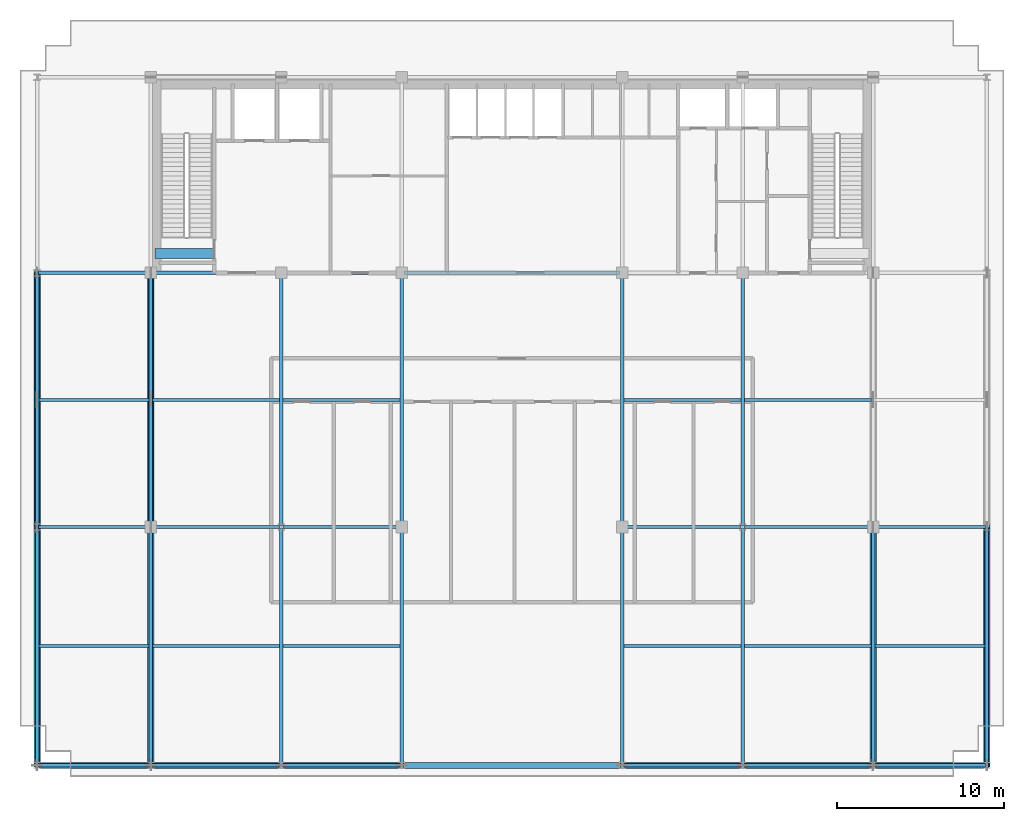
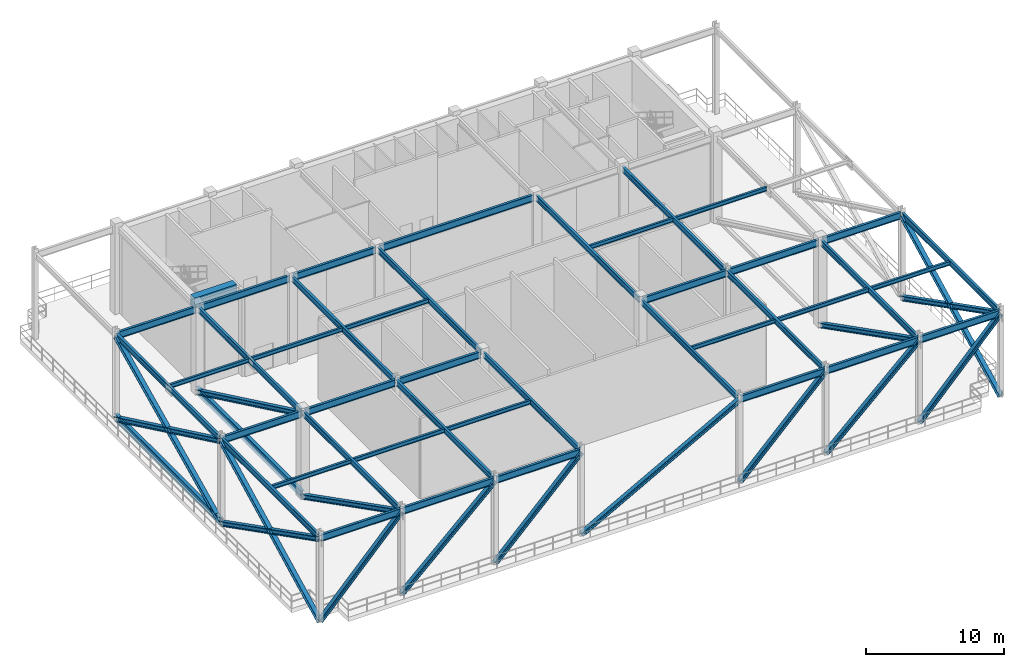
# One storey, part 4 of 14: 42 beams, 18 members.
"""IFC4 building model written with IfcOpenShell, lengths in metres."""

from ifc_helpers import new_model, si_unit, direction, frame, origin, origin_2d, place, context, subcontext, project, spatial, rectangle, i_section, extrude, source, transform, mapped, material, material_profile, profile_set, type_object, element, save


model = new_model("IFC4")

# Units and contexts
model_context = context("Model", 3, precision=1e-05, world=origin(), true_north=direction((0.0, 1.0)))
body_context = subcontext(model_context, "Body", "Model", "MODEL_VIEW")
ifc_project = project(units=[si_unit("LENGTHUNIT", "METRE"), si_unit("AREAUNIT", "SQUARE_METRE"), si_unit("VOLUMEUNIT", "CUBIC_METRE"), si_unit("PLANEANGLEUNIT", "RADIAN"), si_unit("MASSUNIT", "GRAM", prefix="KILO")], contexts=[model_context])

# Site, building, storey
site_placement = place(None, origin())
site = spatial("IfcSite", under=ifc_project, at=site_placement, CompositionType="ELEMENT")
building_placement = place(site_placement, origin())
building = spatial("IfcBuilding", under=site, at=building_placement, Name="Trelvane Seafront Commons", CompositionType="ELEMENT")
storey_placement = place(building_placement, frame((0.0, 0.0, 182.5)))
storey = spatial("IfcBuildingStorey", under=building, at=storey_placement, Name="L48", CompositionType="ELEMENT", Elevation=182.5)

# Beams
ifc_material_1 = material(Name="Concrete C60/75", Category="concrete")
ifc_material_profile_1 = material_profile(ifc_material_1, rectangle(XDim=0.60009765625, YDim=0.89990234375, at=origin_2d()), Name="RC-600x900")
ifc_profile_set_1 = profile_set([ifc_material_profile_1], Name="Concrete C60/75")
beam_type_1 = type_object("IfcBeamType", Name="STR-LNT-RC600x900", PredefinedType="LINTEL", material=ifc_profile_set_1)
shared_shape_1 = source(origin(), body_context, "Body", "SweptSolid", [
    extrude(rectangle(XDim=0.60009765625, YDim=0.89990234375, at=origin_2d()), origin(), (0.0, 0.0, 1.0), 3.5498046875),
])
beam_1_placement = place(storey_placement, frame((15.85009765625, 34.550048828125, 7.169921875), z_axis=(1.0, 0.0, 0.0), x_axis=(0.0, 1.0, 0.0)))
element("IfcBeam", 1, at=beam_1_placement, inside=storey, type_object=beam_type_1, Name="L48 Core Coupling Lintel Beam CB-67", PredefinedType="LINTEL", context=body_context, shape_type="MappedRepresentation", body=[
    mapped(shared_shape_1, transform((0.0, 0.0, 0.0), x_axis=(1.0, 0.0, 0.0), y_axis=(0.0, 1.0, 0.0), z_axis=(0.0, 0.0, 1.0), scale=1.0)),
])
ifc_material_2 = material(Name="Steel SM355 (S355)", Category="steel")
ifc_material_profile_2 = material_profile(ifc_material_2, i_section(OverallWidth=0.199951171875, OverallDepth=0.5, WebThickness=0.010009765625, FlangeThickness=0.01611328125, at=origin_2d()), Name="H-500x200x10x16")
ifc_profile_set_2 = profile_set([ifc_material_profile_2], Name="Steel SM355 (S355)")
beam_type_2 = type_object("IfcBeamType", Name="STR-BM-H500", PredefinedType="BEAM", material=ifc_profile_set_2)
shared_shape_2 = source(origin(), body_context, "Body", "SweptSolid", [
    extrude(i_section(OverallWidth=0.199951171875, OverallDepth=0.5, WebThickness=0.010009765625, FlangeThickness=0.01611328125, at=origin_2d()), origin(), (0.0, 0.0, 1.0), 14.89990234375),
])
for number, where, z_axis, x_axis, name in (
    (2, (15.60009765625, 18.35009765625, 7.3701171875), (0.0, 1.0, 0.0), (-1.0, 0.0, 0.0), "L48 Primary Girder G-33"),
    (3, (30.60009765625, 18.35009765625, 7.3701171875), (0.0, 1.0, 0.0), (-1.0, 0.0, 0.0), "L48 Primary Girder G-39"),
    (4, (43.800048828125, 18.35009765625, 7.3701171875), (0.0, 1.0, 0.0), (-1.0, 0.0, 0.0), "L48 Primary Girder G-42"),
):
    element("IfcBeam", number, at=place(storey_placement, frame(where, z_axis=z_axis, x_axis=x_axis)), inside=storey, type_object=beam_type_2, Name=name, PredefinedType="BEAM", context=body_context, shape_type="MappedRepresentation", body=[
        mapped(shared_shape_2, transform((0.0, 0.0, 0.0), x_axis=(1.0, 0.0, 0.0), y_axis=(0.0, 1.0, 0.0), z_axis=(0.0, 0.0, 1.0), scale=1.0)),
    ])
ifc_material_profile_3 = material_profile(ifc_material_2, i_section(OverallWidth=0.175048828125, OverallDepth=0.35009765625, WebThickness=0.007080078125, FlangeThickness=0.010986328125, at=origin_2d()), Name="H-350x175x7x11")
ifc_profile_set_3 = profile_set([ifc_material_profile_3], Name="Steel SM355 (S355)")
beam_type_3 = type_object("IfcBeamType", Name="STR-JST-H350", PredefinedType="JOIST", material=ifc_profile_set_3)
shared_shape_3 = source(origin(), body_context, "Body", "SweptSolid", [
    extrude(i_section(OverallWidth=0.175048828125, OverallDepth=0.35009765625, WebThickness=0.007080078125, FlangeThickness=0.010986328125, at=origin_2d()), origin(), (0.0, 0.0, 1.0), 6.60009765625),
])
for number, where, z_axis, x_axis, name in (
    (5, (8.89990234375, 11.074951171875, 7.445068359375), (1.0, 0.0, 0.0), (0.0, 1.0, 0.0), "L48 Secondary Floor Joist B-53"),
    (6, (58.89990234375, 11.074951171875, 7.445068359375), (1.0, 0.0, 0.0), (0.0, 1.0, 0.0), "L48 Secondary Floor Joist B-59"),
    (7, (8.89990234375, 25.800048828125, 7.445068359375), (1.0, 0.0, 0.0), (0.0, 1.0, 0.0), "L48 Secondary Floor Joist B-60"),
):
    element("IfcBeam", number, at=place(storey_placement, frame(where, z_axis=z_axis, x_axis=x_axis)), inside=storey, type_object=beam_type_3, Name=name, PredefinedType="JOIST", context=body_context, shape_type="MappedRepresentation", body=[
        mapped(shared_shape_3, transform((0.0, 0.0, 0.0), x_axis=(1.0, 0.0, 0.0), y_axis=(0.0, 1.0, 0.0), z_axis=(0.0, 0.0, 1.0), scale=1.0)),
    ])
shared_shape_4 = source(origin(), body_context, "Body", "SweptSolid", [
    extrude(i_section(OverallWidth=0.175048828125, OverallDepth=0.35009765625, WebThickness=0.007080078125, FlangeThickness=0.010986328125, at=origin_2d()), origin(), (0.0, 0.0, 1.0), 7.60009765625),
])
for number, where, z_axis, x_axis, name in (
    (8, (15.699951171875, 11.074951171875, 7.445068359375), (1.0, 0.0, 0.0), (0.0, 1.0, 0.0), "L48 Secondary Floor Joist B-54"),
    (9, (15.699951171875, 25.800048828125, 7.445068359375), (1.0, 0.0, 0.0), (0.0, 1.0, 0.0), "L48 Secondary Floor Joist B-61"),
):
    element("IfcBeam", number, at=place(storey_placement, frame(where, z_axis=z_axis, x_axis=x_axis)), inside=storey, type_object=beam_type_3, Name=name, PredefinedType="JOIST", context=body_context, shape_type="MappedRepresentation", body=[
        mapped(shared_shape_4, transform((0.0, 0.0, 0.0), x_axis=(1.0, 0.0, 0.0), y_axis=(0.0, 1.0, 0.0), z_axis=(0.0, 0.0, 1.0), scale=1.0)),
    ])
shared_shape_5 = source(origin(), body_context, "Body", "SweptSolid", [
    extrude(i_section(OverallWidth=0.175048828125, OverallDepth=0.35009765625, WebThickness=0.007080078125, FlangeThickness=0.010986328125, at=origin_2d()), origin(), (0.0, 0.0, 1.0), 7.0),
])
for number, where, z_axis, x_axis, name in (
    (10, (23.5, 11.074951171875, 7.445068359375), (1.0, 0.0, 0.0), (0.0, 1.0, 0.0), "L48 Secondary Floor Joist B-55"),
    (11, (43.89990234375, 11.074951171875, 7.445068359375), (1.0, 0.0, 0.0), (0.0, 1.0, 0.0), "L48 Secondary Floor Joist B-57"),
    (12, (23.5, 25.800048828125, 7.445068359375), (1.0, 0.0, 0.0), (0.0, 1.0, 0.0), "L48 Secondary Floor Joist B-62"),
    (13, (43.89990234375, 25.800048828125, 7.445068359375), (1.0, 0.0, 0.0), (0.0, 1.0, 0.0), "L48 Secondary Floor Joist B-64"),
):
    element("IfcBeam", number, at=place(storey_placement, frame(where, z_axis=z_axis, x_axis=x_axis)), inside=storey, type_object=beam_type_3, Name=name, PredefinedType="JOIST", context=body_context, shape_type="MappedRepresentation", body=[
        mapped(shared_shape_5, transform((0.0, 0.0, 0.0), x_axis=(1.0, 0.0, 0.0), y_axis=(0.0, 1.0, 0.0), z_axis=(0.0, 0.0, 1.0), scale=1.0)),
    ])
shared_shape_6 = source(origin(), body_context, "Body", "SweptSolid", [
    extrude(i_section(OverallWidth=0.175048828125, OverallDepth=0.35009765625, WebThickness=0.007080078125, FlangeThickness=0.010986328125, at=origin_2d()), origin(), (0.0, 0.0, 1.0), 7.599853515625),
])
for number, where, z_axis, x_axis, name in (
    (14, (51.10009765625, 11.074951171875, 7.445068359375), (1.0, 0.0, 0.0), (0.0, 1.0, 0.0), "L48 Secondary Floor Joist B-58"),
    (15, (51.10009765625, 25.800048828125, 7.445068359375), (1.0, 0.0, 0.0), (0.0, 1.0, 0.0), "L48 Secondary Floor Joist B-65"),
):
    element("IfcBeam", number, at=place(storey_placement, frame(where, z_axis=z_axis, x_axis=x_axis)), inside=storey, type_object=beam_type_3, Name=name, PredefinedType="JOIST", context=body_context, shape_type="MappedRepresentation", body=[
        mapped(shared_shape_6, transform((0.0, 0.0, 0.0), x_axis=(1.0, 0.0, 0.0), y_axis=(0.0, 1.0, 0.0), z_axis=(0.0, 0.0, 1.0), scale=1.0)),
    ])
ifc_material_profile_4 = material_profile(ifc_material_2, i_section(OverallWidth=0.199951171875, OverallDepth=0.60009765625, WebThickness=0.010986328125, FlangeThickness=0.01708984375, at=origin_2d()), Name="H-600x200x11x17")
ifc_profile_set_4 = profile_set([ifc_material_profile_4], Name="Steel SM355 (S355)")
beam_type_4 = type_object("IfcBeamType", Name="STR-SPD-H600", PredefinedType="SPANDREL", material=ifc_profile_set_4)
shared_shape_7 = source(origin(), body_context, "Body", "SweptSolid", [
    extrude(i_section(OverallWidth=0.199951171875, OverallDepth=0.60009765625, WebThickness=0.010986328125, FlangeThickness=0.01708984375, at=origin_2d()), origin(), (0.0, 0.0, 1.0), 6.60986328125),
])
for number, where, z_axis, x_axis, name in (
    (16, (8.89501953125, 3.949951171875, 7.320068359375), (1.0, 0.0, 0.0), (0.0, 1.0, 0.0), "L48 Primary Girder G-01"),
    (17, (58.89501953125, 3.949951171875, 7.320068359375), (1.0, 0.0, 0.0), (0.0, 1.0, 0.0), "L48 Primary Girder G-07"),
):
    element("IfcBeam", number, at=place(storey_placement, frame(where, z_axis=z_axis, x_axis=x_axis)), inside=storey, type_object=beam_type_4, Name=name, PredefinedType="SPANDREL", context=body_context, shape_type="MappedRepresentation", body=[
        mapped(shared_shape_7, transform((0.0, 0.0, 0.0), x_axis=(1.0, 0.0, 0.0), y_axis=(0.0, 1.0, 0.0), z_axis=(0.0, 0.0, 1.0), scale=1.0)),
    ])
shared_shape_8 = source(origin(), body_context, "Body", "SweptSolid", [
    extrude(i_section(OverallWidth=0.199951171875, OverallDepth=0.60009765625, WebThickness=0.010986328125, FlangeThickness=0.01708984375, at=origin_2d()), origin(), (0.0, 0.0, 1.0), 7.60986328125),
])
beam_2_placement = place(storey_placement, frame((15.695068359375, 3.949951171875, 7.320068359375), z_axis=(1.0, 0.0, 0.0), x_axis=(0.0, 1.0, 0.0)))
element("IfcBeam", 18, at=beam_2_placement, inside=storey, type_object=beam_type_4, Name="L48 Primary Girder G-02", PredefinedType="SPANDREL", context=body_context, shape_type="MappedRepresentation", body=[
    mapped(shared_shape_8, transform((0.0, 0.0, 0.0), x_axis=(1.0, 0.0, 0.0), y_axis=(0.0, 1.0, 0.0), z_axis=(0.0, 0.0, 1.0), scale=1.0)),
])
shared_shape_9 = source(origin(), body_context, "Body", "SweptSolid", [
    extrude(i_section(OverallWidth=0.199951171875, OverallDepth=0.60009765625, WebThickness=0.010986328125, FlangeThickness=0.01708984375, at=origin_2d()), origin(), (0.0, 0.0, 1.0), 7.009765625),
])
beam_3_placement = place(storey_placement, frame((23.4951171875, 3.949951171875, 7.320068359375), z_axis=(1.0, 0.0, 0.0), x_axis=(0.0, 1.0, 0.0)))
element("IfcBeam", 19, at=beam_3_placement, inside=storey, type_object=beam_type_4, Name="L48 Primary Girder G-03", PredefinedType="SPANDREL", context=body_context, shape_type="MappedRepresentation", body=[
    mapped(shared_shape_9, transform((0.0, 0.0, 0.0), x_axis=(1.0, 0.0, 0.0), y_axis=(0.0, 1.0, 0.0), z_axis=(0.0, 0.0, 1.0), scale=1.0)),
])
shared_shape_10 = source(origin(), body_context, "Body", "SweptSolid", [
    extrude(i_section(OverallWidth=0.199951171875, OverallDepth=0.60009765625, WebThickness=0.010986328125, FlangeThickness=0.01708984375, at=origin_2d()), origin(), (0.0, 0.0, 1.0), 7.010009765625),
])
beam_4_placement = place(storey_placement, frame((43.89501953125, 3.949951171875, 7.320068359375), z_axis=(1.0, 0.0, 0.0), x_axis=(0.0, 1.0, 0.0)))
element("IfcBeam", 20, at=beam_4_placement, inside=storey, type_object=beam_type_4, Name="L48 Primary Girder G-05", PredefinedType="SPANDREL", context=body_context, shape_type="MappedRepresentation", body=[
    mapped(shared_shape_10, transform((0.0, 0.0, 0.0), x_axis=(1.0, 0.0, 0.0), y_axis=(0.0, 1.0, 0.0), z_axis=(0.0, 0.0, 1.0), scale=1.0)),
])
shared_shape_11 = source(origin(), body_context, "Body", "SweptSolid", [
    extrude(i_section(OverallWidth=0.199951171875, OverallDepth=0.60009765625, WebThickness=0.010986328125, FlangeThickness=0.01708984375, at=origin_2d()), origin(), (0.0, 0.0, 1.0), 7.610107421875),
])
beam_5_placement = place(storey_placement, frame((51.094970703125, 3.949951171875, 7.320068359375), z_axis=(1.0, 0.0, 0.0), x_axis=(0.0, 1.0, 0.0)))
element("IfcBeam", 21, at=beam_5_placement, inside=storey, type_object=beam_type_4, Name="L48 Primary Girder G-06", PredefinedType="SPANDREL", context=body_context, shape_type="MappedRepresentation", body=[
    mapped(shared_shape_11, transform((0.0, 0.0, 0.0), x_axis=(1.0, 0.0, 0.0), y_axis=(0.0, 1.0, 0.0), z_axis=(0.0, 0.0, 1.0), scale=1.0)),
])
shared_shape_12 = source(origin(), body_context, "Body", "SweptSolid", [
    extrude(i_section(OverallWidth=0.199951171875, OverallDepth=0.60009765625, WebThickness=0.010986328125, FlangeThickness=0.01708984375, at=origin_2d()), origin(), (0.0, 0.0, 1.0), 6.554931640625),
])
for number, where, z_axis, x_axis, name in (
    (22, (8.89501953125, 18.199951171875, 7.320068359375), (1.0, 0.0, 0.0), (0.0, 1.0, 0.0), "L48 Primary Girder G-08"),
    (23, (58.949951171875, 18.199951171875, 7.320068359375), (1.0, 0.0, 0.0), (0.0, 1.0, 0.0), "L48 Primary Girder G-14"),
    (24, (8.89501953125, 33.39990234375, 7.320068359375), (1.0, 0.0, 0.0), (0.0, 1.0, 0.0), "L48 Primary Girder G-15"),
):
    element("IfcBeam", number, at=place(storey_placement, frame(where, z_axis=z_axis, x_axis=x_axis)), inside=storey, type_object=beam_type_4, Name=name, PredefinedType="SPANDREL", context=body_context, shape_type="MappedRepresentation", body=[
        mapped(shared_shape_12, transform((0.0, 0.0, 0.0), x_axis=(1.0, 0.0, 0.0), y_axis=(0.0, 1.0, 0.0), z_axis=(0.0, 0.0, 1.0), scale=1.0)),
    ])
shared_shape_13 = source(origin(), body_context, "Body", "SweptSolid", [
    extrude(i_section(OverallWidth=0.199951171875, OverallDepth=0.60009765625, WebThickness=0.010986328125, FlangeThickness=0.01708984375, at=origin_2d()), origin(), (0.0, 0.0, 1.0), 7.554931640625),
])
for number, where, z_axis, x_axis, name in (
    (25, (15.75, 18.199951171875, 7.320068359375), (1.0, 0.0, 0.0), (0.0, 1.0, 0.0), "L48 Primary Girder G-09"),
    (26, (51.094970703125, 18.199951171875, 7.320068359375), (1.0, 0.0, 0.0), (0.0, 1.0, 0.0), "L48 Primary Girder G-13"),
):
    element("IfcBeam", number, at=place(storey_placement, frame(where, z_axis=z_axis, x_axis=x_axis)), inside=storey, type_object=beam_type_4, Name=name, PredefinedType="SPANDREL", context=body_context, shape_type="MappedRepresentation", body=[
        mapped(shared_shape_13, transform((0.0, 0.0, 0.0), x_axis=(1.0, 0.0, 0.0), y_axis=(0.0, 1.0, 0.0), z_axis=(0.0, 0.0, 1.0), scale=1.0)),
    ])
shared_shape_14 = source(origin(), body_context, "Body", "SweptSolid", [
    extrude(i_section(OverallWidth=0.199951171875, OverallDepth=0.60009765625, WebThickness=0.010986328125, FlangeThickness=0.01708984375, at=origin_2d()), origin(), (0.0, 0.0, 1.0), 6.954833984375),
])
beam_6_placement = place(storey_placement, frame((23.4951171875, 18.199951171875, 7.320068359375), z_axis=(1.0, 0.0, 0.0), x_axis=(0.0, 1.0, 0.0)))
element("IfcBeam", 27, at=beam_6_placement, inside=storey, type_object=beam_type_4, Name="L48 Primary Girder G-10", PredefinedType="SPANDREL", context=body_context, shape_type="MappedRepresentation", body=[
    mapped(shared_shape_14, transform((0.0, 0.0, 0.0), x_axis=(1.0, 0.0, 0.0), y_axis=(0.0, 1.0, 0.0), z_axis=(0.0, 0.0, 1.0), scale=1.0)),
])
shared_shape_15 = source(origin(), body_context, "Body", "SweptSolid", [
    extrude(i_section(OverallWidth=0.199951171875, OverallDepth=0.60009765625, WebThickness=0.010986328125, FlangeThickness=0.01708984375, at=origin_2d()), origin(), (0.0, 0.0, 1.0), 12.89990234375),
])
beam_7_placement = place(storey_placement, frame((30.75, 33.39990234375, 7.320068359375), z_axis=(1.0, 0.0, 0.0), x_axis=(0.0, 1.0, 0.0)))
element("IfcBeam", 28, at=beam_7_placement, inside=storey, type_object=beam_type_4, Name="L48 Primary Girder G-18", PredefinedType="SPANDREL", context=body_context, shape_type="MappedRepresentation", body=[
    mapped(shared_shape_15, transform((0.0, 0.0, 0.0), x_axis=(1.0, 0.0, 0.0), y_axis=(0.0, 1.0, 0.0), z_axis=(0.0, 0.0, 1.0), scale=1.0)),
])
shared_shape_16 = source(origin(), body_context, "Body", "SweptSolid", [
    extrude(i_section(OverallWidth=0.199951171875, OverallDepth=0.60009765625, WebThickness=0.010986328125, FlangeThickness=0.01708984375, at=origin_2d()), origin(), (0.0, 0.0, 1.0), 6.955078125),
])
beam_8_placement = place(storey_placement, frame((43.949951171875, 18.199951171875, 7.320068359375), z_axis=(1.0, 0.0, 0.0), x_axis=(0.0, 1.0, 0.0)))
element("IfcBeam", 29, at=beam_8_placement, inside=storey, type_object=beam_type_4, Name="L48 Primary Girder G-12", PredefinedType="SPANDREL", context=body_context, shape_type="MappedRepresentation", body=[
    mapped(shared_shape_16, transform((0.0, 0.0, 0.0), x_axis=(1.0, 0.0, 0.0), y_axis=(0.0, 1.0, 0.0), z_axis=(0.0, 0.0, 1.0), scale=1.0)),
])
shared_shape_17 = source(origin(), body_context, "Body", "SweptSolid", [
    extrude(i_section(OverallWidth=0.199951171875, OverallDepth=0.60009765625, WebThickness=0.010986328125, FlangeThickness=0.01708984375, at=origin_2d()), origin(), (0.0, 0.0, 1.0), 7.5),
])
beam_9_placement = place(storey_placement, frame((15.75, 33.39990234375, 7.320068359375), z_axis=(1.0, 0.0, 0.0), x_axis=(0.0, 1.0, 0.0)))
element("IfcBeam", 30, at=beam_9_placement, inside=storey, type_object=beam_type_4, Name="L48 Primary Girder G-16", PredefinedType="SPANDREL", context=body_context, shape_type="MappedRepresentation", body=[
    mapped(shared_shape_17, transform((0.0, 0.0, 0.0), x_axis=(1.0, 0.0, 0.0), y_axis=(0.0, 1.0, 0.0), z_axis=(0.0, 0.0, 1.0), scale=1.0)),
])
shared_shape_18 = source(origin(), body_context, "Body", "SweptSolid", [
    extrude(i_section(OverallWidth=0.199951171875, OverallDepth=0.60009765625, WebThickness=0.010986328125, FlangeThickness=0.01708984375, at=origin_2d()), origin(), (0.0, 0.0, 1.0), 6.89990234375),
])
beam_10_placement = place(storey_placement, frame((23.550048828125, 33.39990234375, 7.320068359375), z_axis=(1.0, 0.0, 0.0), x_axis=(0.0, 1.0, 0.0)))
element("IfcBeam", 31, at=beam_10_placement, inside=storey, type_object=beam_type_4, Name="L48 Primary Girder G-17", PredefinedType="SPANDREL", context=body_context, shape_type="MappedRepresentation", body=[
    mapped(shared_shape_18, transform((0.0, 0.0, 0.0), x_axis=(1.0, 0.0, 0.0), y_axis=(0.0, 1.0, 0.0), z_axis=(0.0, 0.0, 1.0), scale=1.0)),
])
shared_shape_19 = source(origin(), body_context, "Body", "SweptSolid", [
    extrude(i_section(OverallWidth=0.199951171875, OverallDepth=0.5, WebThickness=0.010009765625, FlangeThickness=0.01611328125, at=origin_2d()), origin(), (0.0, 0.0, 1.0), 14.06005859375),
])
for number, where, z_axis, x_axis, name in (
    (32, (8.800048828125, 4.044921875, 7.3701171875), (0.0, 1.0, 0.0), (-1.0, 0.0, 0.0), "L48 Primary Girder G-29"),
    (33, (23.39990234375, 4.044921875, 7.3701171875), (0.0, 1.0, 0.0), (-1.0, 0.0, 0.0), "L48 Primary Girder G-35"),
    (34, (51.0, 4.044921875, 7.3701171875), (0.0, 1.0, 0.0), (-1.0, 0.0, 0.0), "L48 Primary Girder G-44"),
    (35, (65.60009765625, 4.044921875, 7.3701171875), (0.0, 1.0, 0.0), (-1.0, 0.0, 0.0), "L48 Primary Girder G-50"),
):
    element("IfcBeam", number, at=place(storey_placement, frame(where, z_axis=z_axis, x_axis=x_axis)), inside=storey, type_object=beam_type_2, Name=name, PredefinedType="BEAM", context=body_context, shape_type="MappedRepresentation", body=[
        mapped(shared_shape_19, transform((0.0, 0.0, 0.0), x_axis=(1.0, 0.0, 0.0), y_axis=(0.0, 1.0, 0.0), z_axis=(0.0, 0.0, 1.0), scale=1.0)),
    ])
shared_shape_20 = source(origin(), body_context, "Body", "SweptSolid", [
    extrude(i_section(OverallWidth=0.199951171875, OverallDepth=0.5, WebThickness=0.010009765625, FlangeThickness=0.01611328125, at=origin_2d()), origin(), (0.0, 0.0, 1.0), 15.010009765625),
])
beam_11_placement = place(storey_placement, frame((8.800048828125, 18.294921875, 7.3701171875), z_axis=(0.0, 1.0, 0.0), x_axis=(-1.0, 0.0, 0.0)))
element("IfcBeam", 36, at=beam_11_placement, inside=storey, type_object=beam_type_2, Name="L48 Primary Girder G-30", PredefinedType="BEAM", context=body_context, shape_type="MappedRepresentation", body=[
    mapped(shared_shape_20, transform((0.0, 0.0, 0.0), x_axis=(1.0, 0.0, 0.0), y_axis=(0.0, 1.0, 0.0), z_axis=(0.0, 0.0, 1.0), scale=1.0)),
])
shared_shape_21 = source(origin(), body_context, "Body", "SweptSolid", [
    extrude(i_section(OverallWidth=0.199951171875, OverallDepth=0.5, WebThickness=0.010009765625, FlangeThickness=0.01611328125, at=origin_2d()), origin(), (0.0, 0.0, 1.0), 14.005126953125),
])
for number, where, z_axis, x_axis, name in (
    (37, (15.60009765625, 4.044921875, 7.3701171875), (0.0, 1.0, 0.0), (-1.0, 0.0, 0.0), "L48 Primary Girder G-32"),
    (38, (30.60009765625, 4.044921875, 7.3701171875), (0.0, 1.0, 0.0), (-1.0, 0.0, 0.0), "L48 Primary Girder G-38"),
    (39, (43.800048828125, 4.044921875, 7.3701171875), (0.0, 1.0, 0.0), (-1.0, 0.0, 0.0), "L48 Primary Girder G-41"),
    (40, (58.800048828125, 4.044921875, 7.3701171875), (0.0, 1.0, 0.0), (-1.0, 0.0, 0.0), "L48 Primary Girder G-47"),
):
    element("IfcBeam", number, at=place(storey_placement, frame(where, z_axis=z_axis, x_axis=x_axis)), inside=storey, type_object=beam_type_2, Name=name, PredefinedType="BEAM", context=body_context, shape_type="MappedRepresentation", body=[
        mapped(shared_shape_21, transform((0.0, 0.0, 0.0), x_axis=(1.0, 0.0, 0.0), y_axis=(0.0, 1.0, 0.0), z_axis=(0.0, 0.0, 1.0), scale=1.0)),
    ])
shared_shape_22 = source(origin(), body_context, "Body", "SweptSolid", [
    extrude(i_section(OverallWidth=0.199951171875, OverallDepth=0.5, WebThickness=0.010009765625, FlangeThickness=0.01611328125, at=origin_2d()), origin(), (0.0, 0.0, 1.0), 14.955078125),
])
for number, where, z_axis, x_axis, name in (
    (41, (23.39990234375, 18.294921875, 7.3701171875), (0.0, 1.0, 0.0), (-1.0, 0.0, 0.0), "L48 Primary Girder G-36"),
    (42, (51.0, 18.294921875, 7.3701171875), (0.0, 1.0, 0.0), (-1.0, 0.0, 0.0), "L48 Primary Girder G-45"),
):
    element("IfcBeam", number, at=place(storey_placement, frame(where, z_axis=z_axis, x_axis=x_axis)), inside=storey, type_object=beam_type_2, Name=name, PredefinedType="BEAM", context=body_context, shape_type="MappedRepresentation", body=[
        mapped(shared_shape_22, transform((0.0, 0.0, 0.0), x_axis=(1.0, 0.0, 0.0), y_axis=(0.0, 1.0, 0.0), z_axis=(0.0, 0.0, 1.0), scale=1.0)),
    ])

# Members
ifc_material_profile_5 = material_profile(ifc_material_2, i_section(OverallWidth=0.280029296875, OverallDepth=0.64990234375, WebThickness=0.012939453125, FlangeThickness=0.02197265625, at=origin_2d()), Name="H-650x280x13x22")
ifc_profile_set_5 = profile_set([ifc_material_profile_5], Name="Steel SM355 (S355)")
member_type_1 = type_object("IfcMemberType", Name="STR-CHD-H650", PredefinedType="CHORD", material=ifc_profile_set_5)
shared_shape_23 = source(origin(), body_context, "Body", "SweptSolid", [
    extrude(i_section(OverallWidth=0.280029296875, OverallDepth=0.64990234375, WebThickness=0.012939453125, FlangeThickness=0.02197265625, at=origin_2d()), origin(), (0.0, 0.0, 1.0), 15.199951171875),
])
for number, where, z_axis, x_axis, name in (
    (43, (8.800048828125, 18.199951171875, 0.159912109375), (0.0, 1.0, 0.0), (-1.0, 0.0, 0.0), "L48 Outrigger Bottom Chord CH-1"),
    (44, (15.60009765625, 18.199951171875, 0.159912109375), (0.0, 1.0, 0.0), (-1.0, 0.0, 0.0), "L48 Outrigger Bottom Chord CH-2"),
):
    element("IfcMember", number, at=place(storey_placement, frame(where, z_axis=z_axis, x_axis=x_axis)), inside=storey, type_object=member_type_1, Name=name, PredefinedType="CHORD", context=body_context, shape_type="MappedRepresentation", body=[
        mapped(shared_shape_23, transform((0.0, 0.0, 0.0), x_axis=(1.0, 0.0, 0.0), y_axis=(0.0, 1.0, 0.0), z_axis=(0.0, 0.0, 1.0), scale=1.0)),
    ])
ifc_material_profile_6 = material_profile(ifc_material_2, i_section(OverallWidth=0.3798828125, OverallDepth=0.3798828125, WebThickness=0.02001953125, FlangeThickness=0.030029296875, at=origin_2d()), Name="HD-380x380x20x30")
ifc_profile_set_6 = profile_set([ifc_material_profile_6], Name="Steel SM355 (S355)")
member_type_2 = type_object("IfcMemberType", Name="STR-BRC-HD380", PredefinedType="BRACE", material=ifc_profile_set_6)
shared_shape_24 = source(origin(), body_context, "Body", "SweptSolid", [
    extrude(i_section(OverallWidth=0.3798828125, OverallDepth=0.3798828125, WebThickness=0.02001953125, FlangeThickness=0.030029296875, at=origin_2d()), origin(), (0.0, 0.0, 1.0), 16.84912109375),
])
for number, where, z_axis, x_axis, name in (
    (45, (8.800048828125, 33.39990234375, 0.0), (0.0, -0.902123186767, 0.431478569453), (1.0, 0.0, 0.0), "L48 Outrigger Truss Diagonal OB-1A"),
    (46, (15.60009765625, 33.39990234375, 0.0), (0.0, -0.902123186767, 0.431478569453), (1.0, 0.0, 0.0), "L48 Outrigger Truss Diagonal OB-2A"),
):
    element("IfcMember", number, at=place(storey_placement, frame(where, z_axis=z_axis, x_axis=x_axis)), inside=storey, type_object=member_type_2, Name=name, PredefinedType="BRACE", context=body_context, shape_type="MappedRepresentation", body=[
        mapped(shared_shape_24, transform((0.0, 0.0, 0.0), x_axis=(1.0, 0.0, 0.0), y_axis=(0.0, 1.0, 0.0), z_axis=(0.0, 0.0, 1.0), scale=1.0)),
    ])
shared_shape_25 = source(origin(), body_context, "Body", "SweptSolid", [
    extrude(i_section(OverallWidth=0.3798828125, OverallDepth=0.3798828125, WebThickness=0.02001953125, FlangeThickness=0.030029296875, at=origin_2d()), origin(), (0.0, 0.0, 1.0), 15.997314453125),
])
for number, where, z_axis, x_axis, name in (
    (47, (8.800048828125, 18.199951171875, 0.0), (0.0, -0.890771704113, 0.454451065739), (1.0, 0.0, 0.0), "L48 Outrigger Truss Diagonal OB-1B"),
    (48, (15.60009765625, 18.199951171875, 0.0), (0.0, -0.890771704113, 0.454451065739), (1.0, 0.0, 0.0), "L48 Outrigger Truss Diagonal OB-2B"),
    (49, (58.800048828125, 18.199951171875, 0.0), (0.0, -0.890771704113, 0.454451065739), (1.0, 0.0, 0.0), "L48 Outrigger Truss Diagonal OB-3B"),
    (50, (65.60009765625, 18.199951171875, 0.0), (0.0, -0.890771704113, 0.454451065739), (1.0, 0.0, 0.0), "L48 Outrigger Truss Diagonal OB-4B"),
):
    element("IfcMember", number, at=place(storey_placement, frame(where, z_axis=z_axis, x_axis=x_axis)), inside=storey, type_object=member_type_2, Name=name, PredefinedType="BRACE", context=body_context, shape_type="MappedRepresentation", body=[
        mapped(shared_shape_25, transform((0.0, 0.0, 0.0), x_axis=(1.0, 0.0, 0.0), y_axis=(0.0, 1.0, 0.0), z_axis=(0.0, 0.0, 1.0), scale=1.0)),
    ])
ifc_material_profile_7 = material_profile(ifc_material_2, i_section(OverallWidth=0.35009765625, OverallDepth=0.35009765625, WebThickness=0.01806640625, FlangeThickness=0.028076171875, at=origin_2d()), Name="HD-350x350x18x28")
ifc_profile_set_7 = profile_set([ifc_material_profile_7], Name="Steel SM355 (S355)")
member_type_3 = type_object("IfcMemberType", Name="STR-BRC-HD350", PredefinedType="BRACE", material=ifc_profile_set_7)
shared_shape_26 = source(origin(), body_context, "Body", "SweptSolid", [
    extrude(i_section(OverallWidth=0.35009765625, OverallDepth=0.35009765625, WebThickness=0.01806640625, FlangeThickness=0.028076171875, at=origin_2d()), origin(), (0.0, 0.0, 1.0), 9.95458984375),
])
for number, where, z_axis, x_axis, name in (
    (51, (8.800048828125, 3.949951171875, 0.0), (0.683106919433, 0.0, 0.730318380313), (0.0, 1.0, 0.0), "L48 Perimeter Belt Truss Brace BT-1D"),
    (52, (58.800048828125, 3.949951171875, 0.0), (0.683106919433, 0.0, 0.730318380313), (0.0, 1.0, 0.0), "L48 Perimeter Belt Truss Brace BT-7D"),
):
    element("IfcMember", number, at=place(storey_placement, frame(where, z_axis=z_axis, x_axis=x_axis)), inside=storey, type_object=member_type_3, Name=name, PredefinedType="BRACE", context=body_context, shape_type="MappedRepresentation", body=[
        mapped(shared_shape_26, transform((0.0, 0.0, 0.0), x_axis=(1.0, 0.0, 0.0), y_axis=(0.0, 1.0, 0.0), z_axis=(0.0, 0.0, 1.0), scale=1.0)),
    ])
shared_shape_27 = source(origin(), body_context, "Body", "SweptSolid", [
    extrude(i_section(OverallWidth=0.35009765625, OverallDepth=0.35009765625, WebThickness=0.01806640625, FlangeThickness=0.028076171875, at=origin_2d()), origin(), (0.0, 0.0, 1.0), 10.66259765625),
])
member_1_placement = place(storey_placement, frame((15.60009765625, 3.949951171875, 0.0), z_axis=(0.731513478453, 0.0, 0.681826980136), x_axis=(0.0, 1.0, 0.0)))
element("IfcMember", 53, at=member_1_placement, inside=storey, type_object=member_type_3, Name="L48 Perimeter Belt Truss Brace BT-2D", PredefinedType="BRACE", context=body_context, shape_type="MappedRepresentation", body=[
    mapped(shared_shape_27, transform((0.0, 0.0, 0.0), x_axis=(1.0, 0.0, 0.0), y_axis=(0.0, 1.0, 0.0), z_axis=(0.0, 0.0, 1.0), scale=1.0)),
])
shared_shape_28 = source(origin(), body_context, "Body", "SweptSolid", [
    extrude(i_section(OverallWidth=0.35009765625, OverallDepth=0.35009765625, WebThickness=0.01806640625, FlangeThickness=0.028076171875, at=origin_2d()), origin(), (0.0, 0.0, 1.0), 10.662841796875),
])
member_2_placement = place(storey_placement, frame((51.0, 3.949951171875, 0.0), z_axis=(0.731524122729, 0.0, 0.681815560006), x_axis=(0.0, 1.0, 0.0)))
element("IfcMember", 54, at=member_2_placement, inside=storey, type_object=member_type_3, Name="L48 Perimeter Belt Truss Brace BT-6D", PredefinedType="BRACE", context=body_context, shape_type="MappedRepresentation", body=[
    mapped(shared_shape_28, transform((0.0, 0.0, 0.0), x_axis=(1.0, 0.0, 0.0), y_axis=(0.0, 1.0, 0.0), z_axis=(0.0, 0.0, 1.0), scale=1.0)),
])
shared_shape_29 = source(origin(), body_context, "Body", "SweptSolid", [
    extrude(i_section(OverallWidth=0.35009765625, OverallDepth=0.35009765625, WebThickness=0.01806640625, FlangeThickness=0.028076171875, at=origin_2d()), origin(), (0.0, 0.0, 1.0), 10.232177734375),
])
member_3_placement = place(storey_placement, frame((23.39990234375, 3.949951171875, 0.0), z_axis=(0.703686533161, 0.0, 0.71051056505), x_axis=(0.0, 1.0, 0.0)))
element("IfcMember", 55, at=member_3_placement, inside=storey, type_object=member_type_3, Name="L48 Perimeter Belt Truss Brace BT-3D", PredefinedType="BRACE", context=body_context, shape_type="MappedRepresentation", body=[
    mapped(shared_shape_29, transform((0.0, 0.0, 0.0), x_axis=(1.0, 0.0, 0.0), y_axis=(0.0, 1.0, 0.0), z_axis=(0.0, 0.0, 1.0), scale=1.0)),
])
shared_shape_30 = source(origin(), body_context, "Body", "SweptSolid", [
    extrude(i_section(OverallWidth=0.35009765625, OverallDepth=0.35009765625, WebThickness=0.01806640625, FlangeThickness=0.028076171875, at=origin_2d()), origin(), (0.0, 0.0, 1.0), 15.069580078125),
])
member_4_placement = place(storey_placement, frame((30.60009765625, 3.949951171875, 0.0), z_axis=(0.87593424905, 0.0, 0.482430504156), x_axis=(0.0, 1.0, 0.0)))
element("IfcMember", 56, at=member_4_placement, inside=storey, type_object=member_type_3, Name="L48 Perimeter Belt Truss Brace BT-4D", PredefinedType="BRACE", context=body_context, shape_type="MappedRepresentation", body=[
    mapped(shared_shape_30, transform((0.0, 0.0, 0.0), x_axis=(1.0, 0.0, 0.0), y_axis=(0.0, 1.0, 0.0), z_axis=(0.0, 0.0, 1.0), scale=1.0)),
])
shared_shape_31 = source(origin(), body_context, "Body", "SweptSolid", [
    extrude(i_section(OverallWidth=0.35009765625, OverallDepth=0.35009765625, WebThickness=0.01806640625, FlangeThickness=0.028076171875, at=origin_2d()), origin(), (0.0, 0.0, 1.0), 10.23193359375),
])
member_5_placement = place(storey_placement, frame((43.800048828125, 3.949951171875, 0.0), z_axis=(0.7036744876, 0.0, 0.710522494719), x_axis=(0.0, 1.0, 0.0)))
element("IfcMember", 57, at=member_5_placement, inside=storey, type_object=member_type_3, Name="L48 Perimeter Belt Truss Brace BT-5D", PredefinedType="BRACE", context=body_context, shape_type="MappedRepresentation", body=[
    mapped(shared_shape_31, transform((0.0, 0.0, 0.0), x_axis=(1.0, 0.0, 0.0), y_axis=(0.0, 1.0, 0.0), z_axis=(0.0, 0.0, 1.0), scale=1.0)),
])
shared_shape_32 = source(origin(), body_context, "Body", "SweptSolid", [
    extrude(i_section(OverallWidth=0.35009765625, OverallDepth=0.35009765625, WebThickness=0.01806640625, FlangeThickness=0.028076171875, at=origin_2d()), origin(), (0.0, 0.0, 1.0), 15.997314453125),
])
for number, where, z_axis, x_axis, name in (
    (58, (8.800048828125, 3.949951171875, 0.0), (0.0, 0.890771704113, 0.454451065739), (-1.0, 0.0, 0.0), "L48 Flank Belt Truss Brace BTE-1"),
    (59, (65.60009765625, 3.949951171875, 0.0), (0.0, 0.890771704113, 0.454451065739), (-1.0, 0.0, 0.0), "L48 Flank Belt Truss Brace BTE-3"),
):
    element("IfcMember", number, at=place(storey_placement, frame(where, z_axis=z_axis, x_axis=x_axis)), inside=storey, type_object=member_type_3, Name=name, PredefinedType="BRACE", context=body_context, shape_type="MappedRepresentation", body=[
        mapped(shared_shape_32, transform((0.0, 0.0, 0.0), x_axis=(1.0, 0.0, 0.0), y_axis=(0.0, 1.0, 0.0), z_axis=(0.0, 0.0, 1.0), scale=1.0)),
    ])
shared_shape_33 = source(origin(), body_context, "Body", "SweptSolid", [
    extrude(i_section(OverallWidth=0.35009765625, OverallDepth=0.35009765625, WebThickness=0.01806640625, FlangeThickness=0.028076171875, at=origin_2d()), origin(), (0.0, 0.0, 1.0), 16.84912109375),
])
member_6_placement = place(storey_placement, frame((8.800048828125, 18.199951171875, 0.0), z_axis=(0.0, 0.902123186767, 0.431478569453), x_axis=(-1.0, 0.0, 0.0)))
element("IfcMember", 60, at=member_6_placement, inside=storey, type_object=member_type_3, Name="L48 Flank Belt Truss Brace BTE-2", PredefinedType="BRACE", context=body_context, shape_type="MappedRepresentation", body=[
    mapped(shared_shape_33, transform((0.0, 0.0, 0.0), x_axis=(1.0, 0.0, 0.0), y_axis=(0.0, 1.0, 0.0), z_axis=(0.0, 0.0, 1.0), scale=1.0)),
])

save(model, "model.ifc")
